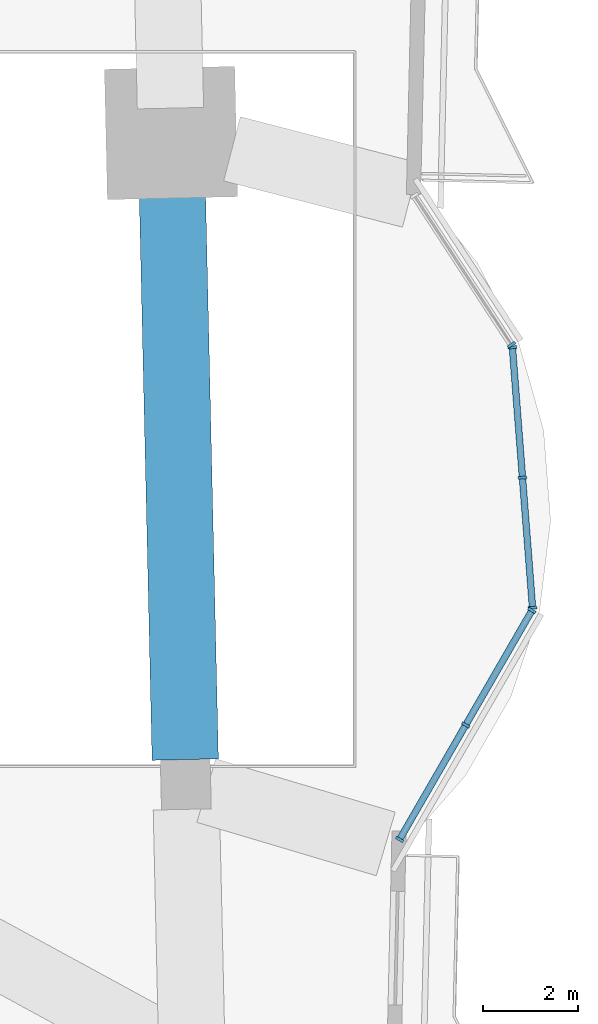
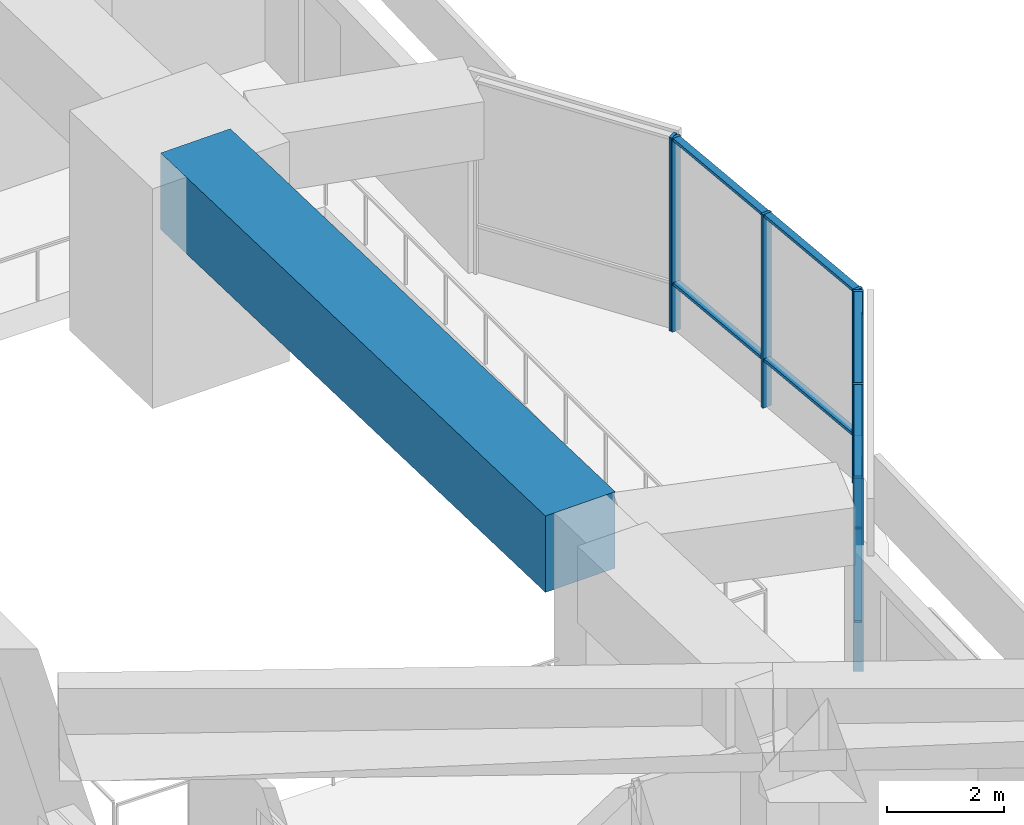
# One storey, part 4 of 20: 15 members, 1 beam, 3 elements without a shape of their own.
"""IFC4 building model written with IfcOpenShell, lengths in metres."""

from ifc_helpers import new_model, si_unit, direction, frame, origin, origin_2d, place, context, subcontext, project, spatial, rectangle, extrude, material, material_profile, profile_set, type_object, element, aggregate, save


model = new_model("IFC4")

# Units and contexts
model_context = context("Model", 3, precision=1e-05, world=origin(), true_north=direction((0.0, 1.0)))
body_context = subcontext(model_context, "Body", "Model", "MODEL_VIEW")
ifc_project = project(units=[si_unit("LENGTHUNIT", "METRE"), si_unit("AREAUNIT", "SQUARE_METRE"), si_unit("VOLUMEUNIT", "CUBIC_METRE"), si_unit("PLANEANGLEUNIT", "RADIAN"), si_unit("MASSUNIT", "GRAM", prefix="KILO")], contexts=[model_context])

# Site, building, storey
site_placement = place(None, origin())
site = spatial("IfcSite", under=ifc_project, at=site_placement, CompositionType="ELEMENT")
building_placement = place(site_placement, origin())
building = spatial("IfcBuilding", under=site, at=building_placement, Name="Mangrove Gate Tower", CompositionType="ELEMENT")
storey_placement = place(building_placement, frame((0.0, 0.0, 252.699951171875)))
storey = spatial("IfcBuildingStorey", under=building, at=storey_placement, Name="L64", CompositionType="ELEMENT", Elevation=252.699951171875)

# Curtain wall, members
ifc_material_1 = material(Name="Aluminium and glass curtain wall", Category="aluminium")
curtain_wall_type = type_object("IfcCurtainWallType", Name="Sky-lounge glazing wall", PredefinedType="NOTDEFINED", material=ifc_material_1)
curtain_wall_1_placement = place(storey_placement, origin())
curtain_wall_1 = element("IfcCurtainWall", 1, at=curtain_wall_1_placement, inside=storey, type_object=curtain_wall_type, Name="Sky-lounge glazing E1f1", PredefinedType="NOTDEFINED")
ifc_material_2 = material(Name="Aluminium alloy 6063-T6", Category="aluminium")
ifc_material_profile_1 = material_profile(ifc_material_2, rectangle(XDim=0.06005859375, YDim=0.179931640625, at=origin_2d()))
ifc_profile_set_1 = profile_set([ifc_material_profile_1], Name="Aluminium alloy 6063-T6")
member_type_1 = type_object("IfcMemberType", Name="Sky-lounge glazing mullion 60x180", PredefinedType="MULLION", material=ifc_profile_set_1)
member_1_placement = place(storey_placement, frame((29.638916015625, -9.08251953125, 0.0), z_axis=(0.0, 0.0, 1.0), x_axis=(0.500418160359, 0.865783844145, 0.0)))
member_1 = element("IfcMember", 2, at=member_1_placement, type_object=member_type_1, Name="CWK mullion 1", PredefinedType="MULLION", context=body_context, shape_type="SweptSolid", body=[
    extrude(rectangle(XDim=0.06005859375, YDim=0.179931640625, at=origin_2d()), origin(), (0.0, 0.0, 1.0), 4.050048828125),
])
member_2_placement = place(storey_placement, frame((31.03564453125, -6.666015625, 0.0), z_axis=(0.0, 0.0, 1.0), x_axis=(0.500418160359, 0.865783844145, 0.0)))
member_2 = element("IfcMember", 3, at=member_2_placement, type_object=member_type_1, Name="CWK mullion 2", PredefinedType="MULLION", context=body_context, shape_type="SweptSolid", body=[
    extrude(rectangle(XDim=0.06005859375, YDim=0.179931640625, at=origin_2d()), origin(), (0.0, 0.0, 1.0), 4.050048828125),
])
member_3_placement = place(storey_placement, frame((32.43212890625, -4.249755859375, 0.0), z_axis=(0.0, 0.0, 1.0), x_axis=(0.500418160359, 0.865783844145, 0.0)))
member_3 = element("IfcMember", 4, at=member_3_placement, type_object=member_type_1, Name="CWK mullion 3", PredefinedType="MULLION", context=body_context, shape_type="SweptSolid", body=[
    extrude(rectangle(XDim=0.06005859375, YDim=0.179931640625, at=origin_2d()), origin(), (0.0, 0.0, 1.0), 4.050048828125),
])

curtain_wall_2_placement = place(storey_placement, origin())
curtain_wall_2 = element("IfcCurtainWall", 5, at=curtain_wall_2_placement, inside=storey, type_object=curtain_wall_type, Name="Sky-lounge glazing E1f2", PredefinedType="NOTDEFINED")
member_4_placement = place(storey_placement, frame((32.44482421875, -4.19384765625, 0.0), z_axis=(0.0, 0.0, 1.0), x_axis=(-0.077023348403, 0.997029289339, 0.0)))
member_4 = element("IfcMember", 6, at=member_4_placement, type_object=member_type_1, Name="CWK mullion 1", PredefinedType="MULLION", context=body_context, shape_type="SweptSolid", body=[
    extrude(rectangle(XDim=0.06005859375, YDim=0.179931640625, at=origin_2d()), origin(), (0.0, 0.0, 1.0), 4.050048828125),
])
member_5_placement = place(storey_placement, frame((32.232666015625, -1.4453125, 0.0), z_axis=(0.0, 0.0, 1.0), x_axis=(-0.077023348403, 0.997029289339, 0.0)))
member_5 = element("IfcMember", 7, at=member_5_placement, type_object=member_type_1, Name="CWK mullion 2", PredefinedType="MULLION", context=body_context, shape_type="SweptSolid", body=[
    extrude(rectangle(XDim=0.06005859375, YDim=0.179931640625, at=origin_2d()), origin(), (0.0, 0.0, 1.0), 4.050048828125),
])
member_6_placement = place(storey_placement, frame((32.020263671875, 1.30322265625, 0.0), z_axis=(0.0, 0.0, 1.0), x_axis=(-0.077023348403, 0.997029289339, 0.0)))
member_6 = element("IfcMember", 8, at=member_6_placement, type_object=member_type_1, Name="CWK mullion 3", PredefinedType="MULLION", context=body_context, shape_type="SweptSolid", body=[
    extrude(rectangle(XDim=0.06005859375, YDim=0.179931640625, at=origin_2d()), origin(), (0.0, 0.0, 1.0), 4.050048828125),
])

# Curtain wall, member
curtain_wall_3_placement = place(storey_placement, origin())
curtain_wall_3 = element("IfcCurtainWall", 9, at=curtain_wall_3_placement, inside=storey, type_object=curtain_wall_type, Name="Sky-lounge glazing E1f3", PredefinedType="NOTDEFINED")
member_7_placement = place(storey_placement, frame((32.00146484375, 1.358154296875, 0.0), z_axis=(0.0, 0.0, 1.0), x_axis=(-0.546235085045, 0.837631919083, 0.0)))
member_7 = element("IfcMember", 10, at=member_7_placement, type_object=member_type_1, Name="CWK mullion 1", PredefinedType="MULLION", context=body_context, shape_type="SweptSolid", body=[
    extrude(rectangle(XDim=0.06005859375, YDim=0.179931640625, at=origin_2d()), origin(), (0.0, 0.0, 1.0), 4.050048828125),
])
aggregate(curtain_wall_3, [member_7])

# Member
ifc_material_3 = material(Name="Aluminium alloy 6063-T6", Category="aluminium")
ifc_material_profile_2 = material_profile(ifc_material_3, rectangle(XDim=0.06005859375, YDim=0.139892578125, at=origin_2d()))
ifc_profile_set_2 = profile_set([ifc_material_profile_2], Name="Aluminium alloy 6063-T6")
member_type_2 = type_object("IfcMemberType", Name="Sky-lounge glazing transom 60x140", PredefinedType="USERDEFINED", material=ifc_profile_set_2)
member_8_placement = place(storey_placement, frame((29.654052734375, -9.056396484375, 1.0), z_axis=(0.500398244711, 0.865795354972, 0.0), x_axis=(0.0, 0.0, 1.0)))
member_8 = element("IfcMember", 11, at=member_8_placement, type_object=member_type_2, Name="CWK transom 1.2", ObjectType="TRANSOM", PredefinedType="USERDEFINED", context=body_context, shape_type="SweptSolid", body=[
    extrude(rectangle(XDim=0.06005859375, YDim=0.139892578125, at=origin_2d()), origin(), (0.0, 0.0, 1.0), 2.730712890625),
])

member_9_placement = place(storey_placement, frame((29.654052734375, -9.056396484375, 4.02001953125), z_axis=(0.500398244711, 0.865795354972, 0.0), x_axis=(0.0, 0.0, 1.0)))
member_9 = element("IfcMember", 12, at=member_9_placement, type_object=member_type_2, Name="CWK transom 1.3", ObjectType="TRANSOM", PredefinedType="USERDEFINED", context=body_context, shape_type="SweptSolid", body=[
    extrude(rectangle(XDim=0.06005859375, YDim=0.139892578125, at=origin_2d()), origin(), (0.0, 0.0, 1.0), 2.730712890625),
])

member_10_placement = place(storey_placement, frame((31.050537109375, -6.64013671875, 1.0), z_axis=(0.500465258138, 0.865756620187, 0.0), x_axis=(0.0, 0.0, 1.0)))
member_10 = element("IfcMember", 13, at=member_10_placement, type_object=member_type_2, Name="CWK transom 2.2", ObjectType="TRANSOM", PredefinedType="USERDEFINED", context=body_context, shape_type="SweptSolid", body=[
    extrude(rectangle(XDim=0.06005859375, YDim=0.139892578125, at=origin_2d()), origin(), (0.0, 0.0, 1.0), 2.73095703125),
])

member_11_placement = place(storey_placement, frame((31.050537109375, -6.64013671875, 4.02001953125), z_axis=(0.500465258138, 0.865756620187, 0.0), x_axis=(0.0, 0.0, 1.0)))
member_11 = element("IfcMember", 14, at=member_11_placement, type_object=member_type_2, Name="CWK transom 2.3", ObjectType="TRANSOM", PredefinedType="USERDEFINED", context=body_context, shape_type="SweptSolid", body=[
    extrude(rectangle(XDim=0.06005859375, YDim=0.139892578125, at=origin_2d()), origin(), (0.0, 0.0, 1.0), 2.73095703125),
])

aggregate(curtain_wall_1, [member_1, member_2, member_3, member_8, member_9, member_10, member_11])

member_12_placement = place(storey_placement, frame((32.442626953125, -4.1640625, 1.0), z_axis=(-0.077042645639, 0.997027798385, 0.0), x_axis=(0.0, 0.0, 1.0)))
member_12 = element("IfcMember", 15, at=member_12_placement, type_object=member_type_2, Name="CWK transom 1.2", ObjectType="TRANSOM", PredefinedType="USERDEFINED", context=body_context, shape_type="SweptSolid", body=[
    extrude(rectangle(XDim=0.06005859375, YDim=0.139892578125, at=origin_2d()), origin(), (0.0, 0.0, 1.0), 2.69677734375),
])

member_13_placement = place(storey_placement, frame((32.442626953125, -4.1640625, 4.02001953125), z_axis=(-0.077042645639, 0.997027798385, 0.0), x_axis=(0.0, 0.0, 1.0)))
member_13 = element("IfcMember", 16, at=member_13_placement, type_object=member_type_2, Name="CWK transom 1.3", ObjectType="TRANSOM", PredefinedType="USERDEFINED", context=body_context, shape_type="SweptSolid", body=[
    extrude(rectangle(XDim=0.06005859375, YDim=0.139892578125, at=origin_2d()), origin(), (0.0, 0.0, 1.0), 2.69677734375),
])

member_14_placement = place(storey_placement, frame((32.230224609375, -1.41552734375, 1.0), z_axis=(-0.077042645639, 0.997027798385, 0.0), x_axis=(0.0, 0.0, 1.0)))
member_14 = element("IfcMember", 17, at=member_14_placement, type_object=member_type_2, Name="CWK transom 2.2", ObjectType="TRANSOM", PredefinedType="USERDEFINED", context=body_context, shape_type="SweptSolid", body=[
    extrude(rectangle(XDim=0.06005859375, YDim=0.139892578125, at=origin_2d()), origin(), (0.0, 0.0, 1.0), 2.69677734375),
])

member_15_placement = place(storey_placement, frame((32.230224609375, -1.41552734375, 4.02001953125), z_axis=(-0.077042645639, 0.997027798385, 0.0), x_axis=(0.0, 0.0, 1.0)))
member_15 = element("IfcMember", 18, at=member_15_placement, type_object=member_type_2, Name="CWK transom 2.3", ObjectType="TRANSOM", PredefinedType="USERDEFINED", context=body_context, shape_type="SweptSolid", body=[
    extrude(rectangle(XDim=0.06005859375, YDim=0.139892578125, at=origin_2d()), origin(), (0.0, 0.0, 1.0), 2.69677734375),
])

aggregate(curtain_wall_2, [member_4, member_5, member_6, member_12, member_13, member_14, member_15])

# Beam
ifc_material_4 = material(Name="Concrete C60/75", Category="concrete")
ifc_material_profile_3 = material_profile(ifc_material_4, rectangle(XDim=1.39990234375, YDim=1.60009765625, at=origin_2d()))
ifc_profile_set_3 = profile_set([ifc_material_profile_3], Name="Concrete C60/75")
beam_type = type_object("IfcBeamType", Name="Transfer girder RC 1400x1600 C60/75", PredefinedType="BEAM", material=ifc_profile_set_3)
beam_placement = place(storey_placement, frame((25.1162109375, -7.39599609375, 3.25), z_axis=(-0.022682979457, 0.999742708122, 0.0), x_axis=(-0.999742708122, -0.022682979457, 0.0)))
element("IfcBeam", 19, at=beam_placement, inside=storey, type_object=beam_type, Name="Transfer ring girder L64 14", PredefinedType="BEAM", context=body_context, shape_type="SweptSolid", body=[
    extrude(rectangle(XDim=1.39990234375, YDim=1.60009765625, at=origin_2d()), origin(), (0.0, 0.0, 1.0), 12.700439453125),
])

save(model, "model.ifc")
